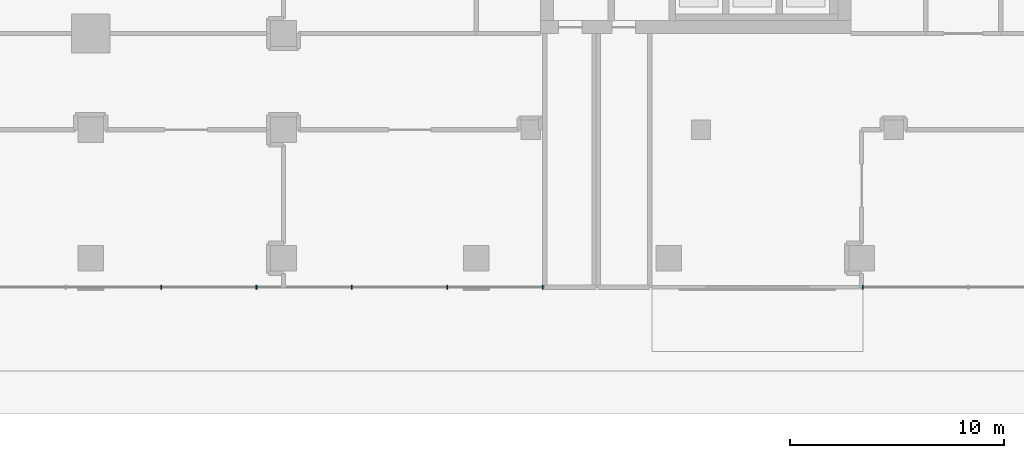
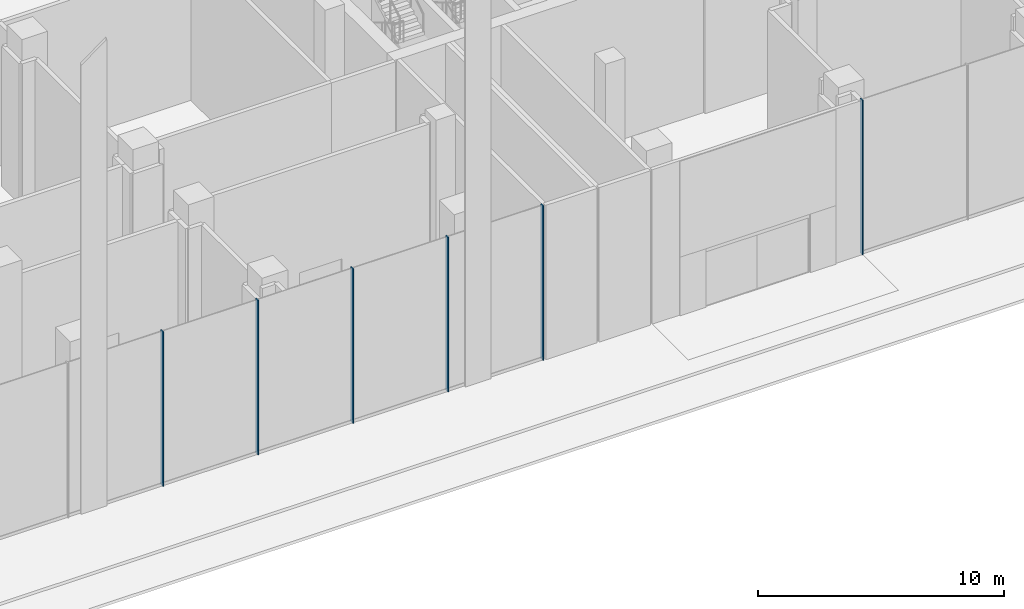
# One storey, part 8 of 42: 6 members, 2 elements without a shape of their own.
"""IFC4 building model written with IfcOpenShell, lengths in metres."""

from ifc_helpers import new_model, si_unit, direction, frame, origin, origin_2d, place, context, subcontext, project, spatial, rectangle, extrude, material, layer, layer_set, material_profile, profile_set, type_object, element, aggregate, save


model = new_model("IFC4")

# Units and contexts
model_context = context("Model", 3, precision=1e-05, world=origin(), true_north=direction((0.0, 1.0)))
body_context = subcontext(model_context, "Body", "Model", "MODEL_VIEW")
ifc_project = project(units=[si_unit("LENGTHUNIT", "METRE"), si_unit("AREAUNIT", "SQUARE_METRE"), si_unit("VOLUMEUNIT", "CUBIC_METRE"), si_unit("PLANEANGLEUNIT", "RADIAN"), si_unit("MASSUNIT", "GRAM", prefix="KILO")], contexts=[model_context])

# Site, building, storey
site_placement = place(None, origin())
site = spatial("IfcSite", under=ifc_project, at=site_placement, CompositionType="ELEMENT")
building_placement = place(site_placement, origin())
building = spatial("IfcBuilding", under=site, at=building_placement, Name="Plateau Cross Towers", CompositionType="ELEMENT")
storey_placement = place(building_placement, origin())
storey = spatial("IfcBuildingStorey", under=building, at=storey_placement, Name="L00", CompositionType="ELEMENT", Elevation=0.0)

# Curtain wall, members
ifc_material_1 = material(Name="Dark low-iron laminated glass", Category="glass")
ifc_layer = layer(ifc_material_1, 0.300048828125)
ifc_layer_set = layer_set([ifc_layer], Name="Dark low-iron laminated glass")
curtain_wall_type = type_object("IfcCurtainWallType", Name="Curtain wall structural silicone CW-C", PredefinedType="NOTDEFINED", material=ifc_layer_set)
curtain_wall_1_placement = place(storey_placement, origin())
curtain_wall_1 = element("IfcCurtainWall", 1, at=curtain_wall_1_placement, inside=storey, type_object=curtain_wall_type, Name="ENV/P/L00/P172_-118", PredefinedType="NOTDEFINED")
ifc_material_2 = material(Name="Black anodised aluminium", Category="aluminium")
ifc_material_profile = material_profile(ifc_material_2, rectangle(XDim=0.050048828125, YDim=0.199951171875, at=origin_2d()), Name="MULLION 50x200")
ifc_profile_set = profile_set([ifc_material_profile], Name="Black anodised aluminium")
member_type = type_object("IfcMemberType", Name="Mullion 50x200 structural silicone", PredefinedType="MULLION", material=ifc_profile_set)
member_1_placement = place(storey_placement, frame((57.28662109375, -11.85009765625, 0.0), z_axis=(0.0, 0.0, 1.0), x_axis=(1.0, 0.0, 0.0)))
member_1 = element("IfcMember", 2, at=member_1_placement, type_object=member_type, Name="CW-C mullion 10", PredefinedType="MULLION", context=body_context, shape_type="SweptSolid", body=[
    extrude(rectangle(XDim=0.050048828125, YDim=0.199951171875, at=origin_2d()), origin(), (0.0, 0.0, 1.0), 7.64990234375),
])
member_2_placement = place(storey_placement, frame((61.739990234375, -11.85009765625, 0.0), z_axis=(0.0, 0.0, 1.0), x_axis=(1.0, 0.0, 0.0)))
member_2 = element("IfcMember", 3, at=member_2_placement, type_object=member_type, Name="CW-C mullion 11", PredefinedType="MULLION", context=body_context, shape_type="SweptSolid", body=[
    extrude(rectangle(XDim=0.050048828125, YDim=0.199951171875, at=origin_2d()), origin(), (0.0, 0.0, 1.0), 7.64990234375),
])
member_3_placement = place(storey_placement, frame((66.193359375, -11.85009765625, 0.0), z_axis=(0.0, 0.0, 1.0), x_axis=(1.0, 0.0, 0.0)))
member_3 = element("IfcMember", 4, at=member_3_placement, type_object=member_type, Name="CW-C mullion 12", PredefinedType="MULLION", context=body_context, shape_type="SweptSolid", body=[
    extrude(rectangle(XDim=0.050048828125, YDim=0.199951171875, at=origin_2d()), origin(), (0.0, 0.0, 1.0), 7.64990234375),
])
member_4_placement = place(storey_placement, frame((70.646728515625, -11.85009765625, 0.0), z_axis=(0.0, 0.0, 1.0), x_axis=(1.0, 0.0, 0.0)))
member_4 = element("IfcMember", 5, at=member_4_placement, type_object=member_type, Name="CW-C mullion 13", PredefinedType="MULLION", context=body_context, shape_type="SweptSolid", body=[
    extrude(rectangle(XDim=0.050048828125, YDim=0.199951171875, at=origin_2d()), origin(), (0.0, 0.0, 1.0), 7.64990234375),
])
member_5_placement = place(storey_placement, frame((75.10009765625, -11.85009765625, 0.0), z_axis=(0.0, 0.0, 1.0), x_axis=(1.0, 0.0, 0.0)))
member_5 = element("IfcMember", 6, at=member_5_placement, type_object=member_type, Name="CW-C mullion 14", PredefinedType="MULLION", context=body_context, shape_type="SweptSolid", body=[
    extrude(rectangle(XDim=0.050048828125, YDim=0.199951171875, at=origin_2d()), origin(), (0.0, 0.0, 1.0), 7.64990234375),
])
aggregate(curtain_wall_1, [member_1, member_2, member_3, member_4, member_5])

# Curtain wall, member
curtain_wall_2_placement = place(storey_placement, origin())
curtain_wall_2 = element("IfcCurtainWall", 7, at=curtain_wall_2_placement, inside=storey, type_object=curtain_wall_type, Name="ENV/P/L00/P901_-118", PredefinedType="NOTDEFINED")
member_6_placement = place(storey_placement, frame((90.06005859375, -11.85009765625, 0.0), z_axis=(0.0, 0.0, 1.0), x_axis=(1.0, 0.0, 0.0)))
member_6 = element("IfcMember", 8, at=member_6_placement, type_object=member_type, Name="CW-C mullion 1", PredefinedType="MULLION", context=body_context, shape_type="SweptSolid", body=[
    extrude(rectangle(XDim=0.050048828125, YDim=0.199951171875, at=origin_2d()), origin(), (0.0, 0.0, 1.0), 7.64990234375),
])
aggregate(curtain_wall_2, [member_6])

save(model, "model.ifc")
